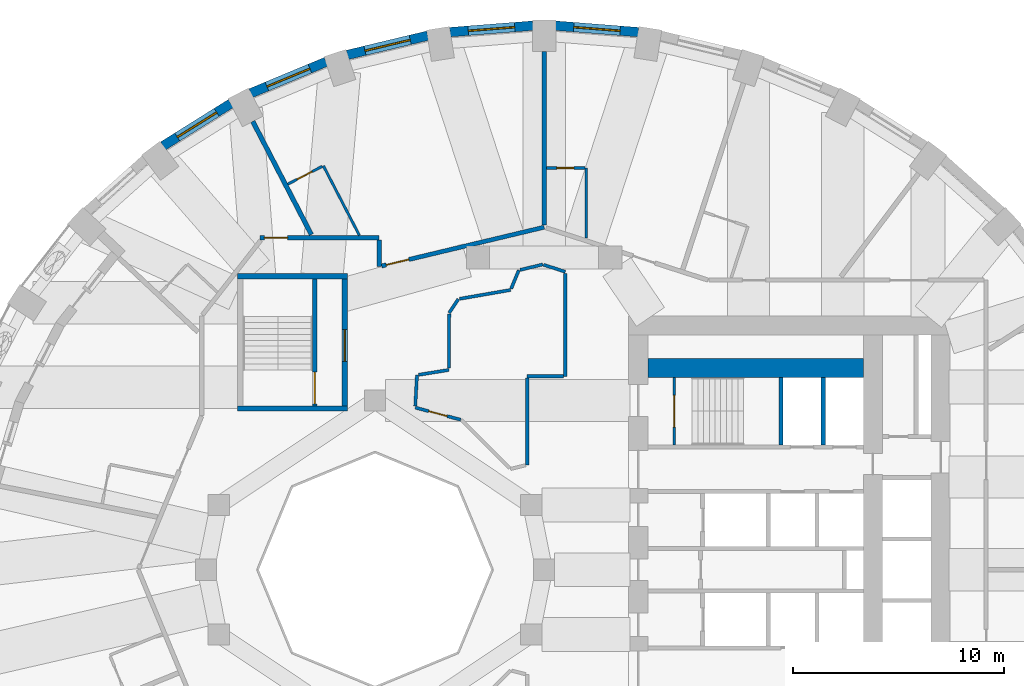
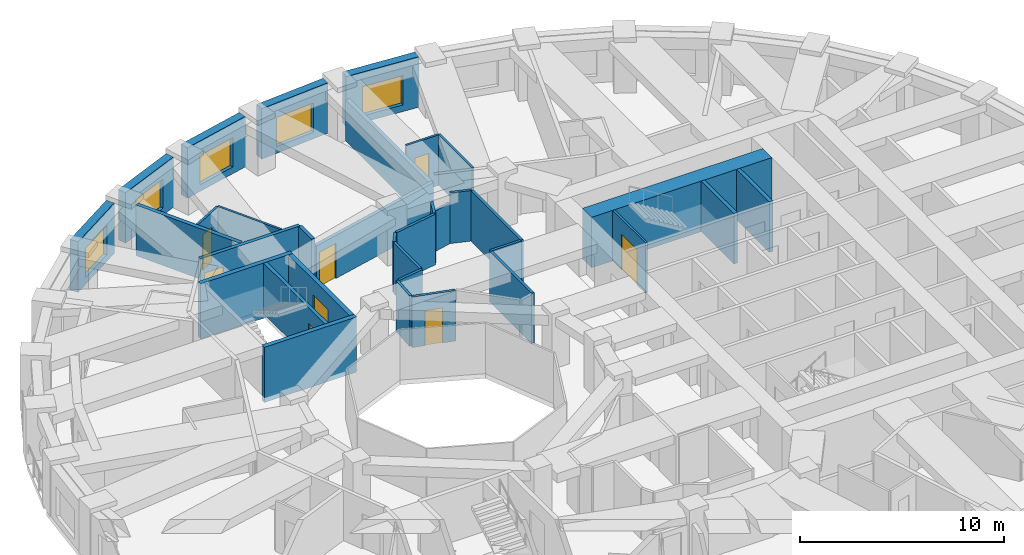
# One storey, part 8 of 13: 34 walls, 8 doors, 5 windows, 13 openings.
"""IFC4 building model written with IfcOpenShell, lengths in metres."""

from ifc_helpers import new_model, si_unit, direction, frame, frame_2d, origin, place, context, subcontext, project, spatial, rectangle, extrude, material, layer, layer_set, type_object, element, fill, save


model = new_model("IFC4")

# Units and contexts
model_context = context("Model", 3, precision=1e-05, world=origin(), true_north=direction((0.0, 1.0)))
body_context = subcontext(model_context, "Body", "Model", "MODEL_VIEW")
ifc_project = project(units=[si_unit("LENGTHUNIT", "METRE"), si_unit("AREAUNIT", "SQUARE_METRE"), si_unit("VOLUMEUNIT", "CUBIC_METRE"), si_unit("PLANEANGLEUNIT", "RADIAN"), si_unit("MASSUNIT", "GRAM", prefix="KILO")], contexts=[model_context])

# Site, building, storey
site_placement = place(None, origin())
site = spatial("IfcSite", under=ifc_project, at=site_placement, CompositionType="ELEMENT")
building_placement = place(site_placement, origin())
building = spatial("IfcBuilding", under=site, at=building_placement, Name="Taillehof Tower", CompositionType="ELEMENT")
storey_placement = place(building_placement, frame((0.0, 0.0, 71.199951171875)))
storey = spatial("IfcBuildingStorey", under=building, at=storey_placement, Name="L19", CompositionType="ELEMENT", Elevation=71.199951171875)

# Wall, opening, window
ifc_material_1 = material(Name="Brick masonry", Category="masonry")
ifc_layer_1 = layer(ifc_material_1, 0.449951171875)
ifc_layer_set_1 = layer_set([ifc_layer_1], Name="Brick infill wall 450")
wall_type_1 = type_object("IfcWallType", Name="Brick infill wall 450", PredefinedType="SOLIDWALL", material=ifc_layer_set_1)
wall_1_placement = place(storey_placement, frame((4.457275390625, 25.42578125, 0.0), z_axis=(0.0, 0.0, 1.0), x_axis=(-0.996955972145, 0.077966592873, 0.0)))
wall_1 = element("IfcWall", 1, at=wall_1_placement, inside=storey, type_object=wall_type_1, Name="Brick wall L19 bay 9", PredefinedType="SOLIDWALL", context=body_context, shape_type="SweptSolid", body=[
    extrude(rectangle(XDim=3.939208984375, YDim=0.449951171875, at=frame_2d((1.9697265625, 0.0))), origin(), (0.0, 0.0, 1.0), 3.02001953125),
])
opening_1_placement = place(wall_1_placement, frame((0.86962890625, 0.0, 0.39990234375)))
opening_1 = element("IfcOpeningElement", 2, at=opening_1_placement, cuts=wall_1, Name="Opening W1", PredefinedType="OPENING", context=body_context, shape_type="SweptSolid", body=[
    extrude(rectangle(XDim=2.199951171875, YDim=1.75, at=frame_2d((1.10009765625, 0.875))), frame((0.0, 0.23486328125, 0.0), z_axis=(0.0, -1.0, 0.0), x_axis=(1.0, 0.0, 0.0)), (0.0, 0.0, 1.0), 0.469970703125),
])
ifc_material_2 = material(Name="Aluminium window frame with clear double glazing", Category="aluminium")
window_type = type_object("IfcWindowType", Name="Deep-set window 2200x1750", PartitioningType="SINGLE_PANEL", PredefinedType="WINDOW", material=ifc_material_2)
window_1_placement = place(opening_1_placement, origin())
window_1 = element("IfcWindow", 3, at=window_1_placement, inside=storey, type_object=window_type, Name="W1", OverallHeight=1.75, OverallWidth=2.199951171875, PartitioningType="SINGLE_PANEL", PredefinedType="WINDOW", context=body_context, shape_type="SweptSolid", body=[
    extrude(rectangle(XDim=2.199951171875, YDim=1.75, at=frame_2d((1.10009765625, 0.875))), frame((0.0, 0.034912109375, 0.0), z_axis=(0.0, -1.0, 0.0), x_axis=(1.0, 0.0, 0.0)), (0.0, 0.0, 1.0), 0.06005859375),
])
fill(opening_1, window_1)

wall_2_placement = place(storey_placement, frame((-0.530029296875, 25.73291015625, 0.0), z_axis=(0.0, 0.0, 1.0), x_axis=(-0.996955972145, -0.077966592873, 0.0)))
wall_2 = element("IfcWall", 4, at=wall_2_placement, inside=storey, type_object=wall_type_1, Name="Brick wall L19 bay 10", PredefinedType="SOLIDWALL", context=body_context, shape_type="SweptSolid", body=[
    extrude(rectangle(XDim=3.939208984375, YDim=0.449951171875, at=frame_2d((1.9697265625, 0.0))), origin(), (0.0, 0.0, 1.0), 3.02001953125),
])
opening_2_placement = place(wall_2_placement, frame((0.86962890625, 0.0, 0.39990234375)))
opening_2 = element("IfcOpeningElement", 5, at=opening_2_placement, cuts=wall_2, Name="Opening W1", PredefinedType="OPENING", context=body_context, shape_type="SweptSolid", body=[
    extrude(rectangle(XDim=2.199951171875, YDim=1.75, at=frame_2d((1.10009765625, 0.875))), frame((0.0, 0.23486328125, 0.0), z_axis=(0.0, -1.0, 0.0), x_axis=(1.0, 0.0, 0.0)), (0.0, 0.0, 1.0), 0.469970703125),
])
window_2_placement = place(opening_2_placement, origin())
window_2 = element("IfcWindow", 6, at=window_2_placement, inside=storey, type_object=window_type, Name="W1", OverallHeight=1.75, OverallWidth=2.199951171875, PartitioningType="SINGLE_PANEL", PredefinedType="WINDOW", context=body_context, shape_type="SweptSolid", body=[
    extrude(rectangle(XDim=2.199951171875, YDim=1.75, at=frame_2d((1.10009765625, 0.875))), frame((0.0, 0.034912109375, 0.0), z_axis=(0.0, -1.0, 0.0), x_axis=(1.0, 0.0, 0.0)), (0.0, 0.0, 1.0), 0.06005859375),
])
fill(opening_2, window_2)

wall_3_placement = place(storey_placement, frame((-5.50439453125, 25.260498046875, 0.0), z_axis=(0.0, 0.0, 1.0), x_axis=(-0.972496561493, -0.232917233979, 0.0)))
wall_3 = element("IfcWall", 7, at=wall_3_placement, inside=storey, type_object=wall_type_1, Name="Brick wall L19 bay 11", PredefinedType="SOLIDWALL", context=body_context, shape_type="SweptSolid", body=[
    extrude(rectangle(XDim=3.910888671875, YDim=0.449951171875, at=frame_2d((1.95556640625, 0.0))), origin(), (0.0, 0.0, 1.0), 3.02001953125),
])
opening_3_placement = place(wall_3_placement, frame((0.855224609375, 0.0, 0.39990234375)))
opening_3 = element("IfcOpeningElement", 8, at=opening_3_placement, cuts=wall_3, Name="Opening W1", PredefinedType="OPENING", context=body_context, shape_type="SweptSolid", body=[
    extrude(rectangle(XDim=2.199951171875, YDim=1.75, at=frame_2d((1.10009765625, 0.875))), frame((0.0, 0.23486328125, 0.0), z_axis=(0.0, -1.0, 0.0), x_axis=(1.0, 0.0, 0.0)), (0.0, 0.0, 1.0), 0.469970703125),
])
window_3_placement = place(opening_3_placement, origin())
window_3 = element("IfcWindow", 9, at=window_3_placement, inside=storey, type_object=window_type, Name="W1", OverallHeight=1.75, OverallWidth=2.199951171875, PartitioningType="SINGLE_PANEL", PredefinedType="WINDOW", context=body_context, shape_type="SweptSolid", body=[
    extrude(rectangle(XDim=2.199951171875, YDim=1.75, at=frame_2d((1.10009765625, 0.875))), frame((0.0, 0.034912109375, 0.0), z_axis=(0.0, -1.0, 0.0), x_axis=(1.0, 0.0, 0.0)), (0.0, 0.0, 1.0), 0.06005859375),
])
fill(opening_3, window_3)

wall_4_placement = place(storey_placement, frame((-10.3154296875, 24.02099609375, 0.0), z_axis=(0.0, 0.0, 1.0), x_axis=(-0.923031964282, -0.384723267966, 0.0)))
wall_4 = element("IfcWall", 10, at=wall_4_placement, inside=storey, type_object=wall_type_1, Name="Brick wall L19 bay 12", PredefinedType="SOLIDWALL", context=body_context, shape_type="SweptSolid", body=[
    extrude(rectangle(XDim=3.8564453125, YDim=0.449951171875, at=frame_2d((1.92822265625, 0.0))), origin(), (0.0, 0.0, 1.0), 3.02001953125),
])
opening_4_placement = place(wall_4_placement, frame((0.828125, 0.0, 0.39990234375)))
opening_4 = element("IfcOpeningElement", 11, at=opening_4_placement, cuts=wall_4, Name="Opening W1", PredefinedType="OPENING", context=body_context, shape_type="SweptSolid", body=[
    extrude(rectangle(XDim=2.199951171875, YDim=1.75, at=frame_2d((1.10009765625, 0.875))), frame((0.0, 0.23486328125, 0.0), z_axis=(0.0, -1.0, 0.0), x_axis=(1.0, 0.0, 0.0)), (0.0, 0.0, 1.0), 0.469970703125),
])
window_4_placement = place(opening_4_placement, origin())
window_4 = element("IfcWindow", 12, at=window_4_placement, inside=storey, type_object=window_type, Name="W1", OverallHeight=1.75, OverallWidth=2.199951171875, PartitioningType="SINGLE_PANEL", PredefinedType="WINDOW", context=body_context, shape_type="SweptSolid", body=[
    extrude(rectangle(XDim=2.199951171875, YDim=1.75, at=frame_2d((1.10009765625, 0.875))), frame((0.0, 0.034912109375, 0.0), z_axis=(0.0, -1.0, 0.0), x_axis=(1.0, 0.0, 0.0)), (0.0, 0.0, 1.0), 0.06005859375),
])
fill(opening_4, window_4)

wall_5_placement = place(storey_placement, frame((-14.81689453125, 22.050537109375, 0.0), z_axis=(0.0, 0.0, 1.0), x_axis=(-0.847635480093, -0.530579016629, 0.0)))
wall_5 = element("IfcWall", 13, at=wall_5_placement, inside=storey, type_object=wall_type_1, Name="Brick wall L19 bay 13", PredefinedType="SOLIDWALL", context=body_context, shape_type="SweptSolid", body=[
    extrude(rectangle(XDim=3.782470703125, YDim=0.449951171875, at=frame_2d((1.89111328125, 0.0))), origin(), (0.0, 0.0, 1.0), 3.02001953125),
])
opening_5_placement = place(wall_5_placement, frame((0.791259765625, 0.0, 0.39990234375)))
opening_5 = element("IfcOpeningElement", 14, at=opening_5_placement, cuts=wall_5, Name="Opening W1", PredefinedType="OPENING", context=body_context, shape_type="SweptSolid", body=[
    extrude(rectangle(XDim=2.199951171875, YDim=1.75, at=frame_2d((1.10009765625, 0.875))), frame((0.0, 0.23486328125, 0.0), z_axis=(0.0, -1.0, 0.0), x_axis=(1.0, 0.0, 0.0)), (0.0, 0.0, 1.0), 0.469970703125),
])
window_5_placement = place(opening_5_placement, origin())
window_5 = element("IfcWindow", 15, at=window_5_placement, inside=storey, type_object=window_type, Name="W1", OverallHeight=1.75, OverallWidth=2.199951171875, PartitioningType="SINGLE_PANEL", PredefinedType="WINDOW", context=body_context, shape_type="SweptSolid", body=[
    extrude(rectangle(XDim=2.199951171875, YDim=1.75, at=frame_2d((1.10009765625, 0.875))), frame((0.0, 0.034912109375, 0.0), z_axis=(0.0, -1.0, 0.0), x_axis=(1.0, 0.0, 0.0)), (0.0, 0.0, 1.0), 0.06005859375),
])
fill(opening_5, window_5)

# Wall, opening, door
ifc_material_3 = material(Name="Gypsum board on steel studs, two layers each side", Category="steel")
ifc_layer_2 = layer(ifc_material_3, 0.199951171875)
ifc_layer_set_2 = layer_set([ifc_layer_2], Name="Compartment wall corridor 200")
wall_type_2 = type_object("IfcWallType", Name="Compartment wall corridor 200", PredefinedType="PARTITIONING", material=ifc_layer_set_2)
wall_6_placement = place(storey_placement, frame((-13.450439453125, 15.699951171875, 0.0), z_axis=(0.0, 0.0, 1.0), x_axis=(1.0, 0.0, 0.0)))
wall_6 = element("IfcWall", 16, at=wall_6_placement, inside=storey, type_object=wall_type_2, Name="Compartment wall", PredefinedType="PARTITIONING", context=body_context, shape_type="SweptSolid", body=[
    extrude(rectangle(XDim=5.650390625, YDim=0.199951171875, at=frame_2d((2.8251953125, 0.0))), origin(), (0.0, 0.0, 1.0), 3.02001953125),
])
opening_6_placement = place(wall_6_placement, frame((0.219970703125, 0.0, 0.0)))
opening_6 = element("IfcOpeningElement", 17, at=opening_6_placement, cuts=wall_6, Name="Opening D1946", PredefinedType="OPENING", context=body_context, shape_type="SweptSolid", body=[
    extrude(rectangle(XDim=1.10009765625, YDim=2.10009765625, at=frame_2d((0.550048828125, 1.050048828125))), frame((0.0, 0.10986328125, 0.0), z_axis=(0.0, -1.0, 0.0), x_axis=(1.0, 0.0, 0.0)), (0.0, 0.0, 1.0), 0.219970703125),
])
ifc_material_4 = material(Name="Timber door leaf in steel frame", Category="steel")
door_type_1 = type_object("IfcDoorType", Name="Suite entrance door EI 30 1100 x 2100", OperationType="SINGLE_SWING_LEFT", PredefinedType="DOOR", material=ifc_material_4)
door_1_placement = place(opening_6_placement, origin())
door_1 = element("IfcDoor", 18, at=door_1_placement, inside=storey, type_object=door_type_1, Name="D1946", OperationType="SINGLE_SWING_RIGHT", OverallHeight=2.10009765625, OverallWidth=1.10009765625, PredefinedType="DOOR", context=body_context, shape_type="SweptSolid", body=[
    extrude(rectangle(XDim=1.10009765625, YDim=2.10009765625, at=frame_2d((0.550048828125, 1.050048828125))), frame((0.0, 0.02490234375, 0.0), z_axis=(0.0, -1.0, 0.0), x_axis=(1.0, 0.0, 0.0)), (0.0, 0.0, 1.0), 0.050048828125),
])
fill(opening_6, door_1)

# Wall
wall_7_placement = place(storey_placement, frame((-7.800048828125, 15.599853515625, 0.0), z_axis=(0.0, 0.0, 1.0), x_axis=(0.0, -1.0, 0.0)))
element("IfcWall", 19, at=wall_7_placement, inside=storey, type_object=wall_type_2, Name="Compartment wall", PredefinedType="PARTITIONING", context=body_context, shape_type="SweptSolid", body=[
    extrude(rectangle(XDim=1.26220703125, YDim=0.199951171875, at=frame_2d((0.631103515625, 0.0))), origin(), (0.0, 0.0, 1.0), 3.02001953125),
])

# Wall, opening, door
wall_8_placement = place(storey_placement, frame((-7.682861328125, 14.365478515625, 0.0), z_axis=(0.0, 0.0, 1.0), x_axis=(0.972657109353, 0.23224587752, 0.0)))
wall_8 = element("IfcWall", 20, at=wall_8_placement, inside=storey, type_object=wall_type_2, Name="Compartment wall", PredefinedType="PARTITIONING", context=body_context, shape_type="SweptSolid", body=[
    extrude(rectangle(XDim=7.89892578125, YDim=0.199951171875, at=frame_2d((3.949462890625, 0.0))), origin(), (0.0, 0.0, 1.0), 2.570068359375),
])
opening_7_placement = place(wall_8_placement, frame((0.219970703125, 0.0, 0.0)))
opening_7 = element("IfcOpeningElement", 21, at=opening_7_placement, cuts=wall_8, Name="Opening D1944", PredefinedType="OPENING", context=body_context, shape_type="SweptSolid", body=[
    extrude(rectangle(XDim=1.10009765625, YDim=2.10009765625, at=frame_2d((0.550048828125, 1.050048828125))), frame((0.0, 0.10986328125, 0.0), z_axis=(0.0, -1.0, 0.0), x_axis=(1.0, 0.0, 0.0)), (0.0, 0.0, 1.0), 0.219970703125),
])
door_2_placement = place(opening_7_placement, origin())
door_2 = element("IfcDoor", 22, at=door_2_placement, inside=storey, type_object=door_type_1, Name="D1944", OperationType="SINGLE_SWING_LEFT", OverallHeight=2.10009765625, OverallWidth=1.10009765625, PredefinedType="DOOR", context=body_context, shape_type="SweptSolid", body=[
    extrude(rectangle(XDim=1.10009765625, YDim=2.10009765625, at=frame_2d((0.550048828125, 1.050048828125))), frame((0.0, 0.02490234375, 0.0), z_axis=(0.0, -1.0, 0.0), x_axis=(1.0, 0.0, 0.0)), (0.0, 0.0, 1.0), 0.050048828125),
])
fill(opening_7, door_2)

# Walls
ifc_material_5 = material(Name="Gypsum board on double steel studs with mineral wool", Category="steel")
ifc_layer_3 = layer(ifc_material_5, 0.219970703125)
ifc_layer_set_3 = layer_set([ifc_layer_3], Name="Compartment wall guest room 220")
wall_type_3 = type_object("IfcWallType", Name="Compartment wall guest room 220", PredefinedType="PARTITIONING", material=ifc_layer_set_3)
wall_9_placement = place(storey_placement, frame((0.0, 24.5, 0.0), z_axis=(0.0, 0.0, 1.0), x_axis=(0.0, -1.0, 0.0)))
element("IfcWall", 23, at=wall_9_placement, inside=storey, type_object=wall_type_3, Name="Compartment wall", PredefinedType="PARTITIONING", context=body_context, shape_type="SweptSolid", body=[
    extrude(rectangle(XDim=8.199951171875, YDim=0.219970703125, at=frame_2d((4.10009765625, 0.0))), origin(), (0.0, 0.0, 1.0), 2.469970703125),
])
wall_10_placement = place(storey_placement, frame((-13.7802734375, 21.201171875, 0.0), z_axis=(0.0, 0.0, 1.0), x_axis=(0.459689820266, -0.888079539875, 0.0)))
element("IfcWall", 24, at=wall_10_placement, inside=storey, type_object=wall_type_3, Name="Compartment wall", PredefinedType="PARTITIONING", context=body_context, shape_type="SweptSolid", body=[
    extrude(rectangle(XDim=6.021484375, YDim=0.219970703125, at=frame_2d((3.0107421875, 0.0))), origin(), (0.0, 0.0, 1.0), 3.02001953125),
])
ifc_material_6 = material(Name="Gypsum board on steel studs, two layers each side", Category="steel")
ifc_layer_4 = layer(ifc_material_6, 0.14990234375)
ifc_layer_set_4 = layer_set([ifc_layer_4], Name="Compartment wall service room 150")
wall_type_4 = type_object("IfcWallType", Name="Compartment wall service room 150", PredefinedType="PARTITIONING", material=ifc_layer_set_4)
wall_11_placement = place(storey_placement, frame((-4.492431640625, 12.146240234375, 0.0), z_axis=(0.0, 0.0, 1.0), x_axis=(0.553770185429, 0.832669551341, 0.0)))
element("IfcWall", 25, at=wall_11_placement, inside=storey, type_object=wall_type_4, Name="Compartment wall", PredefinedType="PARTITIONING", context=body_context, shape_type="SweptSolid", body=[
    extrude(rectangle(XDim=0.787841796875, YDim=0.14990234375, at=frame_2d((0.39404296875, 0.0))), origin(), (0.0, 0.0, 1.0), 3.02001953125),
])
wall_12_placement = place(storey_placement, frame((-3.996826171875, 12.8125, 0.0), z_axis=(0.0, 0.0, 1.0), x_axis=(0.985187584004, 0.171480098917, 0.0)))
element("IfcWall", 26, at=wall_12_placement, inside=storey, type_object=wall_type_4, Name="Compartment wall", PredefinedType="PARTITIONING", context=body_context, shape_type="SweptSolid", body=[
    extrude(rectangle(XDim=2.447265625, YDim=0.14990234375, at=frame_2d((1.2236328125, 0.0))), origin(), (0.0, 0.0, 1.0), 3.02001953125),
])
wall_13_placement = place(storey_placement, frame((-1.56298828125, 13.287841796875, 0.0), z_axis=(0.0, 0.0, 1.0), x_axis=(0.382918810849, 0.923782000419, 0.0)))
element("IfcWall", 27, at=wall_13_placement, inside=storey, type_object=wall_type_4, Name="Compartment wall", PredefinedType="PARTITIONING", context=body_context, shape_type="SweptSolid", body=[
    extrude(rectangle(XDim=0.95068359375, YDim=0.14990234375, at=frame_2d((0.475341796875, 0.0))), origin(), (0.0, 0.0, 1.0), 3.02001953125),
])
wall_14_placement = place(storey_placement, frame((-1.140380859375, 14.179931640625, 0.0), z_axis=(0.0, 0.0, 1.0), x_axis=(0.972668158826, 0.232199596913, 0.0)))
element("IfcWall", 28, at=wall_14_placement, inside=storey, type_object=wall_type_4, Name="Compartment wall", PredefinedType="PARTITIONING", context=body_context, shape_type="SweptSolid", body=[
    extrude(rectangle(XDim=1.101806640625, YDim=0.14990234375, at=frame_2d((0.55078125, 0.0))), origin(), (0.0, 0.0, 1.0), 2.420166015625),
])
wall_15_placement = place(storey_placement, frame((-0.030517578125, 14.423583984375, 0.0), z_axis=(0.0, 0.0, 1.0), x_axis=(0.951683114319, -0.307081829354, 0.0)))
element("IfcWall", 29, at=wall_15_placement, inside=storey, type_object=wall_type_4, Name="Compartment wall", PredefinedType="PARTITIONING", context=body_context, shape_type="SweptSolid", body=[
    extrude(rectangle(XDim=1.082763671875, YDim=0.14990234375, at=frame_2d((0.54150390625, 0.0))), origin(), (0.0, 0.0, 1.0), 3.02001953125),
])
wall_16_placement = place(storey_placement, frame((1.0, 14.010986328125, 0.0), z_axis=(0.0, 0.0, 1.0), x_axis=(0.0, -1.0, 0.0)))
element("IfcWall", 30, at=wall_16_placement, inside=storey, type_object=wall_type_4, Name="Compartment wall", PredefinedType="PARTITIONING", context=body_context, shape_type="SweptSolid", body=[
    extrude(rectangle(XDim=4.861083984375, YDim=0.14990234375, at=frame_2d((2.4306640625, 0.0))), origin(), (0.0, 0.0, 1.0), 3.02001953125),
])
wall_17_placement = place(storey_placement, frame((0.919921875, 9.14990234375, 0.0), z_axis=(0.0, 0.0, 1.0), x_axis=(-1.0, 0.0, 0.0)))
element("IfcWall", 31, at=wall_17_placement, inside=storey, type_object=wall_type_4, Name="Compartment wall", PredefinedType="PARTITIONING", context=body_context, shape_type="SweptSolid", body=[
    extrude(rectangle(XDim=1.719970703125, YDim=0.14990234375, at=frame_2d((0.85986328125, 0.0))), origin(), (0.0, 0.0, 1.0), 3.02001953125),
])
wall_18_placement = place(storey_placement, frame((-0.800048828125, 9.06982421875, 0.0), z_axis=(0.0, 0.0, 1.0), x_axis=(0.0, -1.0, 0.0)))
element("IfcWall", 32, at=wall_18_placement, inside=storey, type_object=wall_type_4, Name="Compartment wall", PredefinedType="PARTITIONING", context=body_context, shape_type="SweptSolid", body=[
    extrude(rectangle(XDim=4.1083984375, YDim=0.14990234375, at=frame_2d((2.05419921875, 0.0))), origin(), (0.0, 0.0, 1.0), 3.02001953125),
])

# Wall, opening, door
wall_19_placement = place(storey_placement, frame((-3.94921875, 7.09326171875, 0.0), z_axis=(0.0, 0.0, 1.0), x_axis=(-0.965915749371, 0.258856649746, 0.0)))
wall_19 = element("IfcWall", 33, at=wall_19_placement, inside=storey, type_object=wall_type_4, Name="Compartment wall", PredefinedType="PARTITIONING", context=body_context, shape_type="SweptSolid", body=[
    extrude(rectangle(XDim=2.226806640625, YDim=0.14990234375, at=frame_2d((1.11328125, 0.0))), origin(), (0.0, 0.0, 1.0), 3.02001953125),
])
opening_8_placement = place(wall_19_placement, frame((0.663330078125, 0.0, 0.0)))
opening_8 = element("IfcOpeningElement", 34, at=opening_8_placement, cuts=wall_19, Name="Opening D1968", PredefinedType="OPENING", context=body_context, shape_type="SweptSolid", body=[
    extrude(rectangle(XDim=0.89990234375, YDim=2.10009765625, at=frame_2d((0.449951171875, 1.050048828125))), frame((0.0, 0.0849609375, 0.0), z_axis=(0.0, -1.0, 0.0), x_axis=(1.0, 0.0, 0.0)), (0.0, 0.0, 1.0), 0.169921875),
])
ifc_material_7 = material(Name="Timber door leaf in steel frame", Category="steel")
door_type_2 = type_object("IfcDoorType", Name="Service room door EI 30 900 x 2100", OperationType="SINGLE_SWING_LEFT", PredefinedType="DOOR", material=ifc_material_7)
door_3_placement = place(opening_8_placement, origin())
door_3 = element("IfcDoor", 35, at=door_3_placement, inside=storey, type_object=door_type_2, Name="D1968", OperationType="SINGLE_SWING_LEFT", OverallHeight=2.10009765625, OverallWidth=0.89990234375, PredefinedType="DOOR", context=body_context, shape_type="SweptSolid", body=[
    extrude(rectangle(XDim=0.89990234375, YDim=2.10009765625, at=frame_2d((0.449951171875, 1.050048828125))), frame((0.0, 0.02490234375, 0.0), z_axis=(0.0, -1.0, 0.0), x_axis=(1.0, 0.0, 0.0)), (0.0, 0.0, 1.0), 0.050048828125),
])
fill(opening_8, door_3)

# Walls
wall_20_placement = place(storey_placement, frame((-6.09521484375, 7.749755859375, 0.0), z_axis=(0.0, 0.0, 1.0), x_axis=(0.05473759482, 0.998500774017, 0.0)))
element("IfcWall", 36, at=wall_20_placement, inside=storey, type_object=wall_type_4, Name="Compartment wall", PredefinedType="PARTITIONING", context=body_context, shape_type="SweptSolid", body=[
    extrude(rectangle(XDim=1.45849609375, YDim=0.14990234375, at=frame_2d((0.729248046875, 0.0))), origin(), (0.0, 0.0, 1.0), 3.02001953125),
])
wall_21_placement = place(storey_placement, frame((-5.936279296875, 9.21875, 0.0), z_axis=(0.0, 0.0, 1.0), x_axis=(0.987290432374, 0.158926404803, 0.0)))
element("IfcWall", 37, at=wall_21_placement, inside=storey, type_object=wall_type_4, Name="Compartment wall", PredefinedType="PARTITIONING", context=body_context, shape_type="SweptSolid", body=[
    extrude(rectangle(XDim=1.454833984375, YDim=0.14990234375, at=frame_2d((0.7275390625, 0.0))), origin(), (0.0, 0.0, 1.0), 3.02001953125),
])
wall_22_placement = place(storey_placement, frame((-4.5, 9.530029296875, 0.0), z_axis=(0.0, 0.0, 1.0), x_axis=(0.002937819013, 0.9999956846, 0.0)))
element("IfcWall", 38, at=wall_22_placement, inside=storey, type_object=wall_type_4, Name="Compartment wall", PredefinedType="PARTITIONING", context=body_context, shape_type="SweptSolid", body=[
    extrude(rectangle(XDim=2.576171875, YDim=0.14990234375, at=frame_2d((1.2880859375, 0.0))), origin(), (0.0, 0.0, 1.0), 3.02001953125),
])
ifc_material_8 = material(Name="Concrete C80/95", Category="concrete")
ifc_layer_5 = layer(ifc_material_8, 0.89990234375)
ifc_layer_set_5 = layer_set([ifc_layer_5], Name="Core wall C80/95 900")
wall_type_5 = type_object("IfcWallType", Name="Core wall C80/95 900", PredefinedType="SHEAR", material=ifc_layer_set_5)
wall_23_placement = place(storey_placement, frame((4.89990234375, 9.550048828125, 0.0), z_axis=(0.0, 0.0, 1.0), x_axis=(1.0, 0.0, 0.0)))
element("IfcWall", 39, at=wall_23_placement, inside=storey, type_object=wall_type_5, Name="Core wall CW06", PredefinedType="SHEAR", context=body_context, shape_type="SweptSolid", body=[
    extrude(rectangle(XDim=10.2001953125, YDim=0.89990234375, at=frame_2d((5.10009765625, 0.0))), origin(), (0.0, 0.0, 1.0), 3.02001953125),
])
ifc_material_9 = material(Name="Gypsum board on steel studs, moisture resistant", Category="steel")
ifc_layer_6 = layer(ifc_material_9, 0.1201171875)
ifc_layer_set_6 = layer_set([ifc_layer_6], Name="En-suite wall 120")
wall_type_6 = type_object("IfcWallType", Name="En-suite wall 120", PredefinedType="PARTITIONING", material=ifc_layer_set_6)
wall_24_placement = place(storey_placement, frame((2.0, 15.6796875, 0.0), z_axis=(0.0, 0.0, 1.0), x_axis=(0.0, 1.0, 0.0)))
element("IfcWall", 40, at=wall_24_placement, inside=storey, type_object=wall_type_6, Name="En-suite wall", PredefinedType="PARTITIONING", context=body_context, shape_type="SweptSolid", body=[
    extrude(rectangle(XDim=3.3203125, YDim=0.1201171875, at=frame_2d((1.66015625, 0.0))), origin(), (0.0, 0.0, 1.0), 3.02001953125),
])
wall_25_placement = place(storey_placement, frame((-8.74169921875, 15.81787109375, 0.0), z_axis=(0.0, 0.0, 1.0), x_axis=(-0.45967225044, 0.888088634189, 0.0)))
element("IfcWall", 41, at=wall_25_placement, inside=storey, type_object=wall_type_6, Name="En-suite wall", PredefinedType="PARTITIONING", context=body_context, shape_type="SweptSolid", body=[
    extrude(rectangle(XDim=3.702392578125, YDim=0.1201171875, at=frame_2d((1.85107421875, 0.0))), origin(), (0.0, 0.0, 1.0), 3.02001953125),
])

# Wall, opening, door
wall_26_placement = place(storey_placement, frame((1.93994140625, 19.0, 0.0), z_axis=(0.0, 0.0, 1.0), x_axis=(-1.0, 0.0, 0.0)))
wall_26 = element("IfcWall", 42, at=wall_26_placement, inside=storey, type_object=wall_type_6, Name="En-suite wall", PredefinedType="PARTITIONING", context=body_context, shape_type="SweptSolid", body=[
    extrude(rectangle(XDim=1.829833984375, YDim=0.1201171875, at=frame_2d((0.9150390625, 0.0))), origin(), (0.0, 0.0, 1.0), 3.02001953125),
])
opening_9_placement = place(wall_26_placement, frame((0.5400390625, 0.0, 0.0)))
opening_9 = element("IfcOpeningElement", 43, at=opening_9_placement, cuts=wall_26, Name="Opening D1943", PredefinedType="OPENING", context=body_context, shape_type="SweptSolid", body=[
    extrude(rectangle(XDim=0.800048828125, YDim=2.10009765625, at=frame_2d((0.39990234375, 1.050048828125))), frame((0.0, 0.070068359375, 0.0), z_axis=(0.0, -1.0, 0.0), x_axis=(1.0, 0.0, 0.0)), (0.0, 0.0, 1.0), 0.14013671875),
])
ifc_material_10 = material(Name="Timber door leaf in steel frame", Category="steel")
door_type_3 = type_object("IfcDoorType", Name="En-suite door 800 x 2100", OperationType="SINGLE_SWING_LEFT", PredefinedType="DOOR", material=ifc_material_10)
door_4_placement = place(opening_9_placement, origin())
door_4 = element("IfcDoor", 44, at=door_4_placement, inside=storey, type_object=door_type_3, Name="D1943", OperationType="SINGLE_SWING_LEFT", OverallHeight=2.10009765625, OverallWidth=0.800048828125, PredefinedType="DOOR", context=body_context, shape_type="SweptSolid", body=[
    extrude(rectangle(XDim=0.800048828125, YDim=2.10009765625, at=frame_2d((0.39990234375, 1.050048828125))), frame((0.0, 0.02490234375, 0.0), z_axis=(0.0, -1.0, 0.0), x_axis=(1.0, 0.0, 0.0)), (0.0, 0.0, 1.0), 0.050048828125),
])
fill(opening_9, door_4)

wall_27_placement = place(storey_placement, frame((-10.4970703125, 19.078125, 0.0), z_axis=(0.0, 0.0, 1.0), x_axis=(-0.888095574179, -0.459658842104, 0.0)))
wall_27 = element("IfcWall", 45, at=wall_27_placement, inside=storey, type_object=wall_type_6, Name="En-suite wall", PredefinedType="PARTITIONING", context=body_context, shape_type="SweptSolid", body=[
    extrude(rectangle(XDim=1.829833984375, YDim=0.1201171875, at=frame_2d((0.9150390625, 0.0))), origin(), (0.0, 0.0, 1.0), 3.02001953125),
])
opening_10_placement = place(wall_27_placement, frame((0.539794921875, 0.0, 0.0)))
opening_10 = element("IfcOpeningElement", 46, at=opening_10_placement, cuts=wall_27, Name="Opening D1945", PredefinedType="OPENING", context=body_context, shape_type="SweptSolid", body=[
    extrude(rectangle(XDim=0.800048828125, YDim=2.10009765625, at=frame_2d((0.39990234375, 1.050048828125))), frame((0.0, 0.070068359375, 0.0), z_axis=(0.0, -1.0, 0.0), x_axis=(1.0, 0.0, 0.0)), (0.0, 0.0, 1.0), 0.14013671875),
])
door_5_placement = place(opening_10_placement, origin())
door_5 = element("IfcDoor", 47, at=door_5_placement, inside=storey, type_object=door_type_3, Name="D1945", OperationType="SINGLE_SWING_LEFT", OverallHeight=2.10009765625, OverallWidth=0.800048828125, PredefinedType="DOOR", context=body_context, shape_type="SweptSolid", body=[
    extrude(rectangle(XDim=0.800048828125, YDim=2.10009765625, at=frame_2d((0.39990234375, 1.050048828125))), frame((0.0, 0.02490234375, 0.0), z_axis=(0.0, -1.0, 0.0), x_axis=(1.0, 0.0, 0.0)), (0.0, 0.0, 1.0), 0.050048828125),
])
fill(opening_10, door_5)

# Walls
ifc_material_11 = material(Name="Concrete C50/60", Category="concrete")
ifc_layer_7 = layer(ifc_material_11, 0.199951171875)
ifc_layer_set_7 = layer_set([ifc_layer_7], Name="Shaft wall C50/60 200")
wall_type_7 = type_object("IfcWallType", Name="Shaft wall C50/60 200", PredefinedType="SHEAR", material=ifc_layer_set_7)
for number, where, z_axis, x_axis, name in (
    (48, (11.199951171875, 5.89990234375, 0.0), (0.0, 0.0, 1.0), (0.0, 1.0, 0.0), "Shaft wall SW"),
    (49, (13.199951171875, 5.89990234375, 0.0), (0.0, 0.0, 1.0), (0.0, 1.0, 0.0), "Shaft wall SW"),
):
    element("IfcWall", number, at=place(storey_placement, frame(where, z_axis=z_axis, x_axis=x_axis)), inside=storey, type_object=wall_type_7, Name=name, PredefinedType="SHEAR", context=body_context, shape_type="SweptSolid", body=[
        extrude(rectangle(XDim=3.2001953125, YDim=0.199951171875, at=frame_2d((1.60009765625, 0.0))), origin(), (0.0, 0.0, 1.0), 3.02001953125),
    ])

# Wall, opening, door
wall_28_placement = place(storey_placement, frame((-10.85009765625, 7.75, 0.0), z_axis=(0.0, 0.0, 1.0), x_axis=(0.0, 1.0, 0.0)))
wall_28 = element("IfcWall", 50, at=wall_28_placement, inside=storey, type_object=wall_type_7, Name="Shaft wall SW", PredefinedType="SHEAR", context=body_context, shape_type="SweptSolid", body=[
    extrude(rectangle(XDim=6.0, YDim=0.199951171875, at=frame_2d((3.0, 0.0))), origin(), (0.0, 0.0, 1.0), 3.02001953125),
])
opening_11_placement = place(wall_28_placement, frame((0.10009765625, 0.0, 0.0)))
opening_11 = element("IfcOpeningElement", 51, at=opening_11_placement, cuts=wall_28, Name="Opening D1912", PredefinedType="OPENING", context=body_context, shape_type="SweptSolid", body=[
    extrude(rectangle(XDim=1.5, YDim=2.10009765625, at=frame_2d((0.75, 1.050048828125))), frame((0.0, 0.10986328125, 0.0), z_axis=(0.0, -1.0, 0.0), x_axis=(1.0, 0.0, 0.0)), (0.0, 0.0, 1.0), 0.219970703125),
])
ifc_material_12 = material(Name="Steel-faced fire door", Category="steel")
door_type_4 = type_object("IfcDoorType", Name="Stair door 1500x2100", OperationType="DOUBLE_DOOR_SINGLE_SWING", PredefinedType="DOOR", material=ifc_material_12)
door_6_placement = place(opening_11_placement, origin())
door_6 = element("IfcDoor", 52, at=door_6_placement, inside=storey, type_object=door_type_4, Name="Stair lobby door S3", OperationType="DOUBLE_DOOR_SINGLE_SWING", OverallHeight=2.10009765625, OverallWidth=1.5, PredefinedType="DOOR", context=body_context, shape_type="SweptSolid", body=[
    extrude(rectangle(XDim=1.5, YDim=2.10009765625, at=frame_2d((0.75, 1.050048828125))), frame((0.0, 0.02490234375, 0.0), z_axis=(0.0, -1.0, 0.0), x_axis=(1.0, 0.0, 0.0)), (0.0, 0.0, 1.0), 0.050048828125),
])
fill(opening_11, door_6)

ifc_material_13 = material(Name="Concrete C50/60", Category="concrete")
ifc_layer_8 = layer(ifc_material_13, 0.1201171875)
ifc_layer_set_8 = layer_set([ifc_layer_8], Name="Stair lobby wall C50/60 120")
wall_type_8 = type_object("IfcWallType", Name="Stair lobby wall C50/60 120", PredefinedType="SHEAR", material=ifc_layer_set_8)
wall_29_placement = place(storey_placement, frame((6.159912109375, 5.89990234375, 0.0), z_axis=(0.0, 0.0, 1.0), x_axis=(0.0, 1.0, 0.0)))
wall_29 = element("IfcWall", 53, at=wall_29_placement, inside=storey, type_object=wall_type_8, Name="Compartment wall SW", PredefinedType="SHEAR", context=body_context, shape_type="SweptSolid", body=[
    extrude(rectangle(XDim=3.2001953125, YDim=0.1201171875, at=frame_2d((1.60009765625, 0.0))), origin(), (0.0, 0.0, 1.0), 3.02001953125),
])
opening_12_placement = place(wall_29_placement, frame((0.85009765625, 0.0, 0.0)))
opening_12 = element("IfcOpeningElement", 54, at=opening_12_placement, cuts=wall_29, Name="Opening D1910", PredefinedType="OPENING", context=body_context, shape_type="SweptSolid", body=[
    extrude(rectangle(XDim=1.5, YDim=2.10009765625, at=frame_2d((0.75, 1.050048828125))), frame((0.0, 0.070068359375, 0.0), z_axis=(0.0, -1.0, 0.0), x_axis=(1.0, 0.0, 0.0)), (0.0, 0.0, 1.0), 0.14013671875),
])
door_7_placement = place(opening_12_placement, origin())
door_7 = element("IfcDoor", 55, at=door_7_placement, inside=storey, type_object=door_type_4, Name="Stair lobby door S1", OperationType="DOUBLE_DOOR_SINGLE_SWING", OverallHeight=2.10009765625, OverallWidth=1.5, PredefinedType="DOOR", context=body_context, shape_type="SweptSolid", body=[
    extrude(rectangle(XDim=1.5, YDim=2.10009765625, at=frame_2d((0.75, 1.050048828125))), frame((0.0, 0.02490234375, 0.0), z_axis=(0.0, -1.0, 0.0), x_axis=(1.0, 0.0, 0.0)), (0.0, 0.0, 1.0), 0.050048828125),
])
fill(opening_12, door_7)

ifc_material_14 = material(Name="Concrete C50/60", Category="concrete")
ifc_layer_9 = layer(ifc_material_14, 0.25)
ifc_layer_set_9 = layer_set([ifc_layer_9], Name="Stair wall C50/60 250")
wall_type_9 = type_object("IfcWallType", Name="Stair wall C50/60 250", PredefinedType="SHEAR", material=ifc_layer_set_9)
wall_30_placement = place(storey_placement, frame((-9.425048828125, 7.75, -0.280029296875), z_axis=(0.0, 0.0, 1.0), x_axis=(0.0, 1.0, 0.0)))
wall_30 = element("IfcWall", 56, at=wall_30_placement, inside=storey, type_object=wall_type_9, Name="Stair wall SC", PredefinedType="SHEAR", context=body_context, shape_type="SweptSolid", body=[
    extrude(rectangle(XDim=6.0, YDim=0.25, at=frame_2d((3.0, 0.0))), origin(), (0.0, 0.0, 1.0), 3.300048828125),
])
opening_13_placement = place(wall_30_placement, frame((2.10009765625, 0.0, 0.280029296875)))
opening_13 = element("IfcOpeningElement", 57, at=opening_13_placement, cuts=wall_30, Name="Opening D1919", PredefinedType="OPENING", context=body_context, shape_type="SweptSolid", body=[
    extrude(rectangle(XDim=1.5, YDim=2.10009765625, at=frame_2d((0.75, 1.050048828125))), frame((0.0, 0.135009765625, 0.0), z_axis=(0.0, -1.0, 0.0), x_axis=(1.0, 0.0, 0.0)), (0.0, 0.0, 1.0), 0.27001953125),
])
door_8_placement = place(opening_13_placement, origin())
door_8 = element("IfcDoor", 58, at=door_8_placement, inside=storey, type_object=door_type_4, Name="Stair door S3", OperationType="DOUBLE_DOOR_SINGLE_SWING", OverallHeight=2.10009765625, OverallWidth=1.5, PredefinedType="DOOR", context=body_context, shape_type="SweptSolid", body=[
    extrude(rectangle(XDim=1.5, YDim=2.10009765625, at=frame_2d((0.75, 1.050048828125))), frame((0.0, 0.02490234375, 0.0), z_axis=(0.0, -1.0, 0.0), x_axis=(1.0, 0.0, 0.0)), (0.0, 0.0, 1.0), 0.050048828125),
])
fill(opening_13, door_8)

# Walls
for number, where, z_axis, x_axis, name in (
    (59, (-14.5, 13.875, -0.280029296875), (0.0, 0.0, 1.0), (1.0, 0.0, 0.0), "Stair wall SC"),
    (60, (-14.5, 7.625, -0.280029296875), (0.0, 0.0, 1.0), (1.0, 0.0, 0.0), "Stair wall SC"),
):
    element("IfcWall", number, at=place(storey_placement, frame(where, z_axis=z_axis, x_axis=x_axis)), inside=storey, type_object=wall_type_9, Name=name, PredefinedType="SHEAR", context=body_context, shape_type="SweptSolid", body=[
        extrude(rectangle(XDim=5.199951171875, YDim=0.25, at=frame_2d((2.60009765625, 0.0))), origin(), (0.0, 0.0, 1.0), 3.300048828125),
    ])

save(model, "model.ifc")
